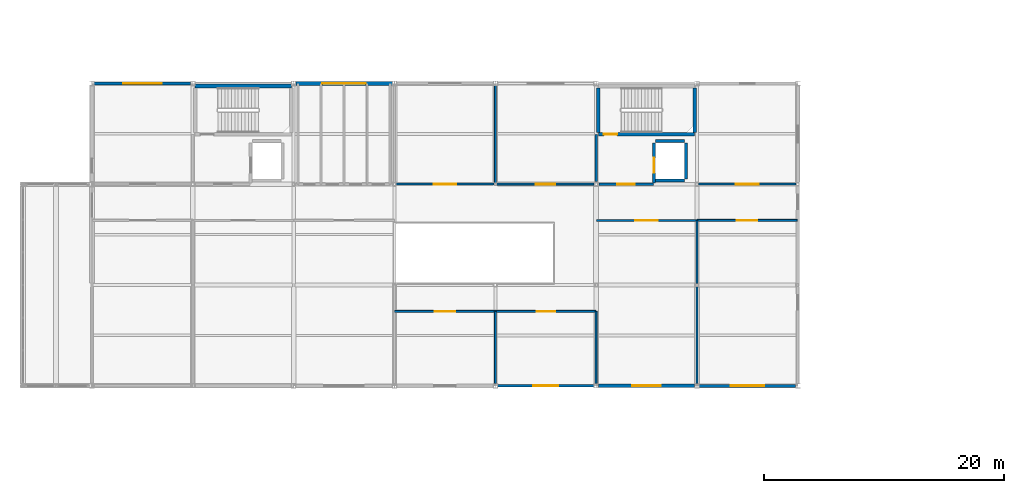
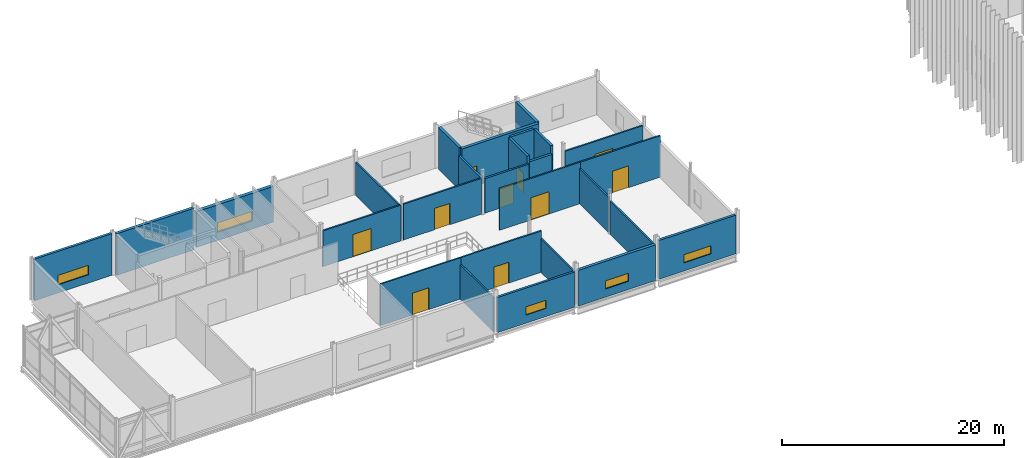
# One storey, part 31 of 45: 27 walls, 10 doors, 5 windows, 15 openings.
"""IFC4 building model written with IfcOpenShell, lengths in metres."""

from ifc_helpers import new_model, si_unit, direction, frame, frame_2d, origin, place, context, subcontext, project, spatial, rectangle, extrude, material, layer, layer_set, type_object, element, fill, save


model = new_model("IFC4")

# Units and contexts
model_context = context("Model", 3, precision=1e-05, world=origin(), true_north=direction((0.0, 1.0)))
body_context = subcontext(model_context, "Body", "Model", "MODEL_VIEW")
ifc_project = project(units=[si_unit("LENGTHUNIT", "METRE"), si_unit("AREAUNIT", "SQUARE_METRE"), si_unit("VOLUMEUNIT", "CUBIC_METRE"), si_unit("PLANEANGLEUNIT", "RADIAN"), si_unit("MASSUNIT", "GRAM", prefix="KILO")], contexts=[model_context])

# Site, building, storey
site_placement = place(None, origin())
site = spatial("IfcSite", under=ifc_project, at=site_placement, CompositionType="ELEMENT")
building_placement = place(site_placement, origin())
building = spatial("IfcBuilding", under=site, at=building_placement, Name="Calvrana Isthmian Art Gallery", CompositionType="ELEMENT")
storey_placement = place(building_placement, frame((0.0, 0.0, 19.800048828125)))
storey = spatial("IfcBuildingStorey", under=building, at=storey_placement, Name="L04", CompositionType="ELEMENT", Elevation=19.800048828125)

# Wall
ifc_material_1 = material(Name="Concrete C40/50", Category="concrete")
ifc_layer_1 = layer(ifc_material_1, 0.300048828125, Name="Concrete C40/50")
ifc_layer_set_1 = layer_set([ifc_layer_1], Name="Concrete C40/50")
wall_type_1 = type_object("IfcWallType", Name="CW-SHAFT-300", PredefinedType="SHEAR", material=ifc_layer_set_1)
wall_1_placement = place(storey_placement, frame((30.18994140625, 46.580078125, 0.0), z_axis=(0.0, 0.0, 1.0), x_axis=(1.0, 0.0, 0.0)))
element("IfcWall", 1, at=wall_1_placement, inside=storey, type_object=wall_type_1, Name="Core C1 shear wall N L04", PredefinedType="SHEAR", context=body_context, shape_type="SweptSolid", body=[
    extrude(rectangle(XDim=8.02001953125, YDim=0.300048828125, at=frame_2d((4.010009765625, 0.0))), origin(), (0.0, 0.0, 1.0), 4.579833984375),
])

# Wall, opening, door
wall_2_placement = place(storey_placement, frame((63.7900390625, 42.56005859375, 0.0), z_axis=(0.0, 0.0, 1.0), x_axis=(1.0, 0.0, 0.0)))
wall_2 = element("IfcWall", 2, at=wall_2_placement, inside=storey, type_object=wall_type_1, Name="Core C2 shear wall S L04", PredefinedType="SHEAR", context=body_context, shape_type="SweptSolid", body=[
    extrude(rectangle(XDim=8.02001953125, YDim=0.300048828125, at=frame_2d((4.010009765625, 0.0))), origin(), (0.0, 0.0, 1.0), 4.579833984375),
])
opening_1_placement = place(wall_2_placement, frame((0.449951171875, 0.0, 0.0)))
opening_1 = element("IfcOpeningElement", 3, at=opening_1_placement, cuts=wall_2, Name="Opening D-124", PredefinedType="OPENING", context=body_context, shape_type="SweptSolid", body=[
    extrude(rectangle(XDim=1.10009765625, YDim=2.14990234375, at=frame_2d((0.550048828125, 1.074951171875))), frame((0.0, 0.16015625, 0.0), z_axis=(0.0, -1.0, 0.0), x_axis=(1.0, 0.0, 0.0)), (0.0, 0.0, 1.0), 0.320556640625),
])
ifc_material_2 = material(Name="Steel ASTM A572 Gr 50", Category="steel")
door_type_1 = type_object("IfcDoorType", Name="DR-FIRE-1100", OperationType="NOTDEFINED", PredefinedType="DOOR", material=ifc_material_2)
door_1_placement = place(opening_1_placement, origin())
door_1 = element("IfcDoor", 4, at=door_1_placement, inside=storey, type_object=door_type_1, Name="Stair ST-2 fire door L04", OperationType="SINGLE_SWING_LEFT", OverallHeight=2.14990234375, OverallWidth=1.10009765625, PredefinedType="DOOR", context=body_context, shape_type="SweptSolid", body=[
    extrude(rectangle(XDim=1.10009765625, YDim=2.14990234375, at=frame_2d((0.550048828125, 1.074951171875))), frame((0.0, 0.02490234375, 0.0), z_axis=(0.0, -1.0, 0.0), x_axis=(1.0, 0.0, 0.0)), (0.0, 0.0, 1.0), 0.050048828125),
])
fill(opening_1, door_1)

# Walls
for number, where, z_axis, x_axis, name in (
    (5, (63.7900390625, 42.7099609375, 0.0), (0.0, 0.0, 1.0), (0.0, 1.0, 0.0), "Core C2 shear wall W L04"),
    (6, (71.81005859375, 42.7099609375, 0.0), (0.0, 0.0, 1.0), (0.0, 1.0, 0.0), "Core C2 shear wall E L04"),
):
    element("IfcWall", number, at=place(storey_placement, frame(where, z_axis=z_axis, x_axis=x_axis)), inside=storey, type_object=wall_type_1, Name=name, PredefinedType="SHEAR", context=body_context, shape_type="SweptSolid", body=[
        extrude(rectangle(XDim=3.719970703125, YDim=0.300048828125, at=frame_2d((1.85986328125, 0.0))), origin(), (0.0, 0.0, 1.0), 4.579833984375),
    ])

# Wall, opening, window
ifc_material_3 = material(Name="Precast concrete C40/50", Category="concrete")
ifc_layer_2 = layer(ifc_material_3, 0.219970703125, Name="Precast concrete C40/50")
ifc_layer_set_2 = layer_set([ifc_layer_2], Name="Precast concrete C40/50")
wall_type_2 = type_object("IfcWallType", Name="EW-ACOUST-220", PredefinedType="SOLIDWALL", material=ifc_layer_set_2)
wall_3_placement = place(storey_placement, frame((63.416015625, 21.60009765625, 0.0), z_axis=(0.0, 0.0, 1.0), x_axis=(-1.0, 0.0, 0.0)))
wall_3 = element("IfcWall", 7, at=wall_3_placement, inside=storey, type_object=wall_type_2, Name="Exterior wall EW-183", PredefinedType="SOLIDWALL", context=body_context, shape_type="SweptSolid", body=[
    extrude(rectangle(XDim=8.030517578125, YDim=0.219970703125, at=frame_2d((4.01513671875, 0.0))), origin(), (0.0, 0.0, 1.0), 3.866943359375),
])
opening_2_placement = place(wall_3_placement, frame((2.96533203125, 0.0, 0.89990234375)))
opening_2 = element("IfcOpeningElement", 8, at=opening_2_placement, cuts=wall_3, Name="Opening W-134", PredefinedType="OPENING", context=body_context, shape_type="SweptSolid", body=[
    extrude(rectangle(XDim=2.10009765625, YDim=0.89990234375, at=frame_2d((1.050048828125, 0.449951171875))), frame((0.0, 0.1201171875, 0.0), z_axis=(0.0, -1.0, 0.0), x_axis=(1.0, 0.0, 0.0)), (0.0, 0.0, 1.0), 0.240478515625),
])
ifc_material_4 = material(Name="Low-E laminated solar glass", Category="glass")
window_type_1 = type_object("IfcWindowType", Name="WN-C02", PartitioningType="DOUBLE_PANEL_VERTICAL", PredefinedType="WINDOW", material=ifc_material_4)
window_1_placement = place(opening_2_placement, origin())
window_1 = element("IfcWindow", 9, at=window_1_placement, inside=storey, type_object=window_type_1, Name="Facade window W-134", OverallHeight=0.89990234375, OverallWidth=2.10009765625, PartitioningType="SINGLE_PANEL", PredefinedType="WINDOW", context=body_context, shape_type="SweptSolid", body=[
    extrude(rectangle(XDim=2.10009765625, YDim=0.89990234375, at=frame_2d((1.050048828125, 0.449951171875))), frame((0.0, 0.030029296875, 0.0), z_axis=(0.0, -1.0, 0.0), x_axis=(1.0, 0.0, 0.0)), (0.0, 0.0, 1.0), 0.06005859375),
])
fill(opening_2, window_1)

ifc_material_5 = material(Name="Pale Isthmian limestone", Category="masonry")
ifc_layer_3 = layer(ifc_material_5, 0.300048828125, Name="Pale Isthmian limestone")
ifc_layer_set_3 = layer_set([ifc_layer_3], Name="Pale Isthmian limestone")
wall_type_3 = type_object("IfcWallType", Name="EW-LIME-300", PredefinedType="SOLIDWALL", material=ifc_layer_set_3)
wall_4_placement = place(storey_placement, frame((71.8134765625, 21.60009765625, 0.0), z_axis=(0.0, 0.0, 1.0), x_axis=(-1.0, 0.0, 0.0)))
wall_4 = element("IfcWall", 10, at=wall_4_placement, inside=storey, type_object=wall_type_3, Name="Exterior wall EW-184", PredefinedType="SOLIDWALL", context=body_context, shape_type="SweptSolid", body=[
    extrude(rectangle(XDim=8.029541015625, YDim=0.300048828125, at=frame_2d((4.0146484375, 0.0))), origin(), (0.0, 0.0, 1.0), 3.93798828125),
])
opening_3_placement = place(wall_4_placement, frame((2.814697265625, 0.0, 0.89990234375)))
opening_3 = element("IfcOpeningElement", 11, at=opening_3_placement, cuts=wall_4, Name="Opening W-135", PredefinedType="OPENING", context=body_context, shape_type="SweptSolid", body=[
    extrude(rectangle(XDim=2.39990234375, YDim=0.89990234375, at=frame_2d((1.199951171875, 0.449951171875))), frame((0.0, 0.16015625, 0.0), z_axis=(0.0, -1.0, 0.0), x_axis=(1.0, 0.0, 0.0)), (0.0, 0.0, 1.0), 0.320556640625),
])
window_type_2 = type_object("IfcWindowType", Name="WN-C03", PartitioningType="DOUBLE_PANEL_VERTICAL", PredefinedType="WINDOW", material=ifc_material_4)
window_2_placement = place(opening_3_placement, origin())
window_2 = element("IfcWindow", 12, at=window_2_placement, inside=storey, type_object=window_type_2, Name="Facade window W-135", OverallHeight=0.89990234375, OverallWidth=2.39990234375, PartitioningType="SINGLE_PANEL", PredefinedType="WINDOW", context=body_context, shape_type="SweptSolid", body=[
    extrude(rectangle(XDim=2.39990234375, YDim=0.89990234375, at=frame_2d((1.199951171875, 0.449951171875))), frame((0.0, 0.030029296875, 0.0), z_axis=(0.0, -1.0, 0.0), x_axis=(1.0, 0.0, 0.0)), (0.0, 0.0, 1.0), 0.06005859375),
])
fill(opening_3, window_2)

ifc_layer_4 = layer(ifc_material_3, 0.35009765625, Name="Precast concrete C40/50")
ifc_layer_set_4 = layer_set([ifc_layer_4], Name="Precast concrete C40/50")
wall_type_4 = type_object("IfcWallType", Name="EW-PREC-350", PredefinedType="SOLIDWALL", material=ifc_layer_set_4)
wall_5_placement = place(storey_placement, frame((38.58642578125, 46.800048828125, 0.0), z_axis=(0.0, 0.0, 1.0), x_axis=(1.0, 0.0, 0.0)))
wall_5 = element("IfcWall", 13, at=wall_5_placement, inside=storey, type_object=wall_type_4, Name="Exterior wall EW-190", PredefinedType="SOLIDWALL", context=body_context, shape_type="SweptSolid", body=[
    extrude(rectangle(XDim=8.028076171875, YDim=0.35009765625, at=frame_2d((4.01416015625, 0.0))), origin(), (0.0, 0.0, 1.0), 3.93798828125),
])
opening_4_placement = place(wall_5_placement, frame((2.214111328125, 0.0, 0.89990234375)))
opening_4 = element("IfcOpeningElement", 14, at=opening_4_placement, cuts=wall_5, Name="Opening W-138", PredefinedType="OPENING", context=body_context, shape_type="SweptSolid", body=[
    extrude(rectangle(XDim=3.60009765625, YDim=1.050048828125, at=frame_2d((1.800048828125, 0.52490234375))), frame((0.0, 0.185302734375, 0.0), z_axis=(0.0, -1.0, 0.0), x_axis=(1.0, 0.0, 0.0)), (0.0, 0.0, 1.0), 0.37060546875),
])
window_type_3 = type_object("IfcWindowType", Name="WN-C06", PartitioningType="DOUBLE_PANEL_VERTICAL", PredefinedType="WINDOW", material=ifc_material_4)
window_3_placement = place(opening_4_placement, origin())
window_3 = element("IfcWindow", 15, at=window_3_placement, inside=storey, type_object=window_type_3, Name="Facade window W-138", OverallHeight=1.050048828125, OverallWidth=3.60009765625, PartitioningType="SINGLE_PANEL", PredefinedType="WINDOW", context=body_context, shape_type="SweptSolid", body=[
    extrude(rectangle(XDim=3.60009765625, YDim=1.050048828125, at=frame_2d((1.800048828125, 0.52490234375))), frame((0.0, 0.030029296875, 0.0), z_axis=(0.0, -1.0, 0.0), x_axis=(1.0, 0.0, 0.0)), (0.0, 0.0, 1.0), 0.06005859375),
])
fill(opening_4, window_3)

ifc_material_6 = material(Name="Polychrome glazed terracotta", Category="masonry")
ifc_layer_5 = layer(ifc_material_6, 0.25, Name="Polychrome glazed terracotta")
ifc_layer_set_5 = layer_set([ifc_layer_5], Name="Polychrome glazed terracotta")
wall_type_5 = type_object("IfcWallType", Name="EW-TERRA-250", PredefinedType="SOLIDWALL", material=ifc_layer_set_5)
wall_6_placement = place(storey_placement, frame((80.21337890625, 21.60009765625, 0.0), z_axis=(0.0, 0.0, 1.0), x_axis=(-1.0, 0.0, 0.0)))
wall_6 = element("IfcWall", 16, at=wall_6_placement, inside=storey, type_object=wall_type_5, Name="Exterior wall EW-185", PredefinedType="SOLIDWALL", context=body_context, shape_type="SweptSolid", body=[
    extrude(rectangle(XDim=8.02685546875, YDim=0.25, at=frame_2d((4.013427734375, 0.0))), origin(), (0.0, 0.0, 1.0), 4.255126953125),
])
opening_5_placement = place(wall_6_placement, frame((2.613525390625, 0.0, 0.89990234375)))
opening_5 = element("IfcOpeningElement", 17, at=opening_5_placement, cuts=wall_6, Name="Opening W-136", PredefinedType="OPENING", context=body_context, shape_type="SweptSolid", body=[
    extrude(rectangle(XDim=2.800048828125, YDim=0.89990234375, at=frame_2d((1.39990234375, 0.449951171875))), frame((0.0, 0.13525390625, 0.0), z_axis=(0.0, -1.0, 0.0), x_axis=(1.0, 0.0, 0.0)), (0.0, 0.0, 1.0), 0.2705078125),
])
window_type_4 = type_object("IfcWindowType", Name="WN-C04", PartitioningType="DOUBLE_PANEL_VERTICAL", PredefinedType="WINDOW", material=ifc_material_4)
window_4_placement = place(opening_5_placement, origin())
window_4 = element("IfcWindow", 18, at=window_4_placement, inside=storey, type_object=window_type_4, Name="Facade window W-136", OverallHeight=0.89990234375, OverallWidth=2.800048828125, PartitioningType="SINGLE_PANEL", PredefinedType="WINDOW", context=body_context, shape_type="SweptSolid", body=[
    extrude(rectangle(XDim=2.800048828125, YDim=0.89990234375, at=frame_2d((1.39990234375, 0.449951171875))), frame((0.0, 0.030029296875, 0.0), z_axis=(0.0, -1.0, 0.0), x_axis=(1.0, 0.0, 0.0)), (0.0, 0.0, 1.0), 0.06005859375),
])
fill(opening_5, window_4)

wall_7_placement = place(storey_placement, frame((21.783935546875, 46.800048828125, 0.0), z_axis=(0.0, 0.0, 1.0), x_axis=(1.0, 0.0, 0.0)))
wall_7 = element("IfcWall", 19, at=wall_7_placement, inside=storey, type_object=wall_type_5, Name="Exterior wall EW-189", PredefinedType="SOLIDWALL", context=body_context, shape_type="SweptSolid", body=[
    extrude(rectangle(XDim=8.029541015625, YDim=0.25, at=frame_2d((4.0146484375, 0.0))), origin(), (0.0, 0.0, 1.0), 4.579833984375),
])
opening_6_placement = place(wall_7_placement, frame((2.414794921875, 0.0, 0.89990234375)))
opening_6 = element("IfcOpeningElement", 20, at=opening_6_placement, cuts=wall_7, Name="Opening W-137", PredefinedType="OPENING", context=body_context, shape_type="SweptSolid", body=[
    extrude(rectangle(XDim=3.199951171875, YDim=1.050048828125, at=frame_2d((1.60009765625, 0.52490234375))), frame((0.0, 0.13525390625, 0.0), z_axis=(0.0, -1.0, 0.0), x_axis=(1.0, 0.0, 0.0)), (0.0, 0.0, 1.0), 0.2705078125),
])
window_type_5 = type_object("IfcWindowType", Name="WN-C05", PartitioningType="DOUBLE_PANEL_VERTICAL", PredefinedType="WINDOW", material=ifc_material_4)
window_5_placement = place(opening_6_placement, origin())
window_5 = element("IfcWindow", 21, at=window_5_placement, inside=storey, type_object=window_type_5, Name="Facade window W-137", OverallHeight=1.050048828125, OverallWidth=3.199951171875, PartitioningType="SINGLE_PANEL", PredefinedType="WINDOW", context=body_context, shape_type="SweptSolid", body=[
    extrude(rectangle(XDim=3.199951171875, YDim=1.050048828125, at=frame_2d((1.60009765625, 0.52490234375))), frame((0.0, 0.030029296875, 0.0), z_axis=(0.0, -1.0, 0.0), x_axis=(1.0, 0.0, 0.0)), (0.0, 0.0, 1.0), 0.06005859375),
])
fill(opening_6, window_5)

# Wall
ifc_material_7 = material(Name="Acoustic gypsum ceiling", Category="gypsum")
ifc_layer_6 = layer(ifc_material_7, 0.199951171875, Name="Acoustic gypsum ceiling")
ifc_layer_set_6 = layer_set([ifc_layer_6], Name="Acoustic gypsum ceiling")
wall_type_6 = type_object("IfcWallType", Name="PW-FIRE-200", PredefinedType="PARTITIONING", material=ifc_layer_set_6)
wall_8_placement = place(storey_placement, frame((63.60009765625, 38.6201171875, 0.0), z_axis=(0.0, 0.0, 1.0), x_axis=(0.0, 1.0, 0.0)))
element("IfcWall", 22, at=wall_8_placement, inside=storey, type_object=wall_type_6, Name="Core C2 lobby west closure L04", PredefinedType="PARTITIONING", context=body_context, shape_type="SweptSolid", body=[
    extrude(rectangle(XDim=3.919921875, YDim=0.199951171875, at=frame_2d((1.9599609375, 0.0))), origin(), (0.0, 0.0, 1.0), 3.866943359375),
])

# Wall, opening, door
wall_9_placement = place(storey_placement, frame((63.820068359375, 38.39990234375, 0.0), z_axis=(0.0, 0.0, 1.0), x_axis=(1.0, 0.0, 0.0)))
wall_9 = element("IfcWall", 23, at=wall_9_placement, inside=storey, type_object=wall_type_6, Name="Core C2 lobby enclosure L04", PredefinedType="PARTITIONING", context=body_context, shape_type="SweptSolid", body=[
    extrude(rectangle(XDim=4.559814453125, YDim=0.199951171875, at=frame_2d((2.27978515625, 0.0))), origin(), (0.0, 0.0, 1.0), 3.7978515625),
])
opening_7_placement = place(wall_9_placement, frame((1.554931640625, 0.0, 0.0)))
opening_7 = element("IfcOpeningElement", 24, at=opening_7_placement, cuts=wall_9, Name="Opening D-125", PredefinedType="OPENING", context=body_context, shape_type="SweptSolid", body=[
    extrude(rectangle(XDim=1.449951171875, YDim=2.199951171875, at=frame_2d((0.72509765625, 1.10009765625))), frame((0.0, 0.1103515625, 0.0), z_axis=(0.0, -1.0, 0.0), x_axis=(1.0, 0.0, 0.0)), (0.0, 0.0, 1.0), 0.220458984375),
])
door_type_2 = type_object("IfcDoorType", Name="DR-LOBBY-1450", OperationType="DOUBLE_DOOR_SINGLE_SWING", PredefinedType="DOOR", material=ifc_material_2)
door_2_placement = place(opening_7_placement, origin())
door_2 = element("IfcDoor", 25, at=door_2_placement, inside=storey, type_object=door_type_2, Name="Core C2 lobby fire door L04", OperationType="DOUBLE_DOOR_SINGLE_SWING", OverallHeight=2.199951171875, OverallWidth=1.449951171875, PredefinedType="DOOR", context=body_context, shape_type="SweptSolid", body=[
    extrude(rectangle(XDim=1.449951171875, YDim=2.199951171875, at=frame_2d((0.72509765625, 1.10009765625))), frame((0.0, 0.02490234375, 0.0), z_axis=(0.0, -1.0, 0.0), x_axis=(1.0, 0.0, 0.0)), (0.0, 0.0, 1.0), 0.050048828125),
])
fill(opening_7, door_2)

ifc_layer_7 = layer(ifc_material_7, 0.159912109375, Name="Acoustic gypsum ceiling")
ifc_layer_set_7 = layer_set([ifc_layer_7], Name="Acoustic gypsum ceiling")
wall_type_7 = type_object("IfcWallType", Name="PW-GAL-160", PredefinedType="PARTITIONING", material=ifc_layer_set_7)
wall_10_placement = place(storey_placement, frame((46.820068359375, 27.800048828125, 0.0), z_axis=(0.0, 0.0, 1.0), x_axis=(1.0, 0.0, 0.0)))
wall_10 = element("IfcWall", 26, at=wall_10_placement, inside=storey, type_object=wall_type_7, Name="Interior partition PW-573", PredefinedType="PARTITIONING", context=body_context, shape_type="SweptSolid", body=[
    extrude(rectangle(XDim=8.35986328125, YDim=0.159912109375, at=frame_2d((4.179931640625, 0.0))), origin(), (0.0, 0.0, 1.0), 4.56005859375),
])
opening_8_placement = place(wall_10_placement, frame((3.35009765625, 0.0, 0.0)))
opening_8 = element("IfcOpeningElement", 27, at=opening_8_placement, cuts=wall_10, Name="Opening D-497", PredefinedType="OPENING", context=body_context, shape_type="SweptSolid", body=[
    extrude(rectangle(XDim=1.699951171875, YDim=2.39990234375, at=frame_2d((0.85009765625, 1.199951171875))), frame((0.0, 0.09033203125, 0.0), z_axis=(0.0, -1.0, 0.0), x_axis=(1.0, 0.0, 0.0)), (0.0, 0.0, 1.0), 0.180419921875),
])
ifc_material_8 = material(Name="Timber gallery flooring", Category="wood")
door_type_3 = type_object("IfcDoorType", Name="DR-GAL-1700", OperationType="DOUBLE_DOOR_SINGLE_SWING", PredefinedType="DOOR", material=ifc_material_8)
door_3_placement = place(opening_8_placement, origin())
door_3 = element("IfcDoor", 28, at=door_3_placement, inside=storey, type_object=door_type_3, Name="Interior door D-497", OperationType="DOUBLE_DOOR_SINGLE_SWING", OverallHeight=2.39990234375, OverallWidth=1.699951171875, PredefinedType="DOOR", context=body_context, shape_type="SweptSolid", body=[
    extrude(rectangle(XDim=1.699951171875, YDim=2.39990234375, at=frame_2d((0.85009765625, 1.199951171875))), frame((0.0, 0.02490234375, 0.0), z_axis=(0.0, -1.0, 0.0), x_axis=(1.0, 0.0, 0.0)), (0.0, 0.0, 1.0), 0.050048828125),
])
fill(opening_8, door_3)

# Wall
wall_11_placement = place(storey_placement, frame((55.199951171875, 21.79638671875, 0.0), z_axis=(0.0, 0.0, 1.0), x_axis=(0.0, 1.0, 0.0)))
element("IfcWall", 29, at=wall_11_placement, inside=storey, type_object=wall_type_7, Name="Interior partition PW-574", PredefinedType="PARTITIONING", context=body_context, shape_type="SweptSolid", body=[
    extrude(rectangle(XDim=6.003662109375, YDim=0.159912109375, at=frame_2d((3.001953125, 0.0))), origin(), (0.0, 0.0, 1.0), 3.787841796875),
])

# Wall, opening, door
wall_12_placement = place(storey_placement, frame((55.219970703125, 27.800048828125, 0.0), z_axis=(0.0, 0.0, 1.0), x_axis=(1.0, 0.0, 0.0)))
wall_12 = element("IfcWall", 30, at=wall_12_placement, inside=storey, type_object=wall_type_7, Name="Interior partition PW-575", PredefinedType="PARTITIONING", context=body_context, shape_type="SweptSolid", body=[
    extrude(rectangle(XDim=8.360107421875, YDim=0.159912109375, at=frame_2d((4.18017578125, 0.0))), origin(), (0.0, 0.0, 1.0), 4.56005859375),
])
opening_9_placement = place(wall_12_placement, frame((3.425048828125, 0.0, 0.0)))
opening_9 = element("IfcOpeningElement", 31, at=opening_9_placement, cuts=wall_12, Name="Opening D-498", PredefinedType="OPENING", context=body_context, shape_type="SweptSolid", body=[
    extrude(rectangle(XDim=1.550048828125, YDim=2.300048828125, at=frame_2d((0.77490234375, 1.14990234375))), frame((0.0, 0.09033203125, 0.0), z_axis=(0.0, -1.0, 0.0), x_axis=(1.0, 0.0, 0.0)), (0.0, 0.0, 1.0), 0.180419921875),
])
door_type_4 = type_object("IfcDoorType", Name="DR-AUD-1550", OperationType="DOUBLE_DOOR_SINGLE_SWING", PredefinedType="DOOR", material=ifc_material_8)
door_4_placement = place(opening_9_placement, origin())
door_4 = element("IfcDoor", 32, at=door_4_placement, inside=storey, type_object=door_type_4, Name="Interior door D-498", OperationType="DOUBLE_DOOR_SINGLE_SWING", OverallHeight=2.300048828125, OverallWidth=1.550048828125, PredefinedType="DOOR", context=body_context, shape_type="SweptSolid", body=[
    extrude(rectangle(XDim=1.550048828125, YDim=2.300048828125, at=frame_2d((0.77490234375, 1.14990234375))), frame((0.0, 0.02490234375, 0.0), z_axis=(0.0, -1.0, 0.0), x_axis=(1.0, 0.0, 0.0)), (0.0, 0.0, 1.0), 0.050048828125),
])
fill(opening_9, door_4)

# Wall
wall_13_placement = place(storey_placement, frame((63.60009765625, 21.79296875, 0.0), z_axis=(0.0, 0.0, 1.0), x_axis=(0.0, 1.0, 0.0)))
element("IfcWall", 33, at=wall_13_placement, inside=storey, type_object=wall_type_7, Name="Interior partition PW-576", PredefinedType="PARTITIONING", context=body_context, shape_type="SweptSolid", body=[
    extrude(rectangle(XDim=6.007080078125, YDim=0.159912109375, at=frame_2d((3.00341796875, 0.0))), origin(), (0.0, 0.0, 1.0), 3.703857421875),
])

# Wall, opening, door
wall_14_placement = place(storey_placement, frame((63.610107421875, 35.389892578125, 0.0), z_axis=(0.0, 0.0, 1.0), x_axis=(1.0, 0.0, 0.0)))
wall_14 = element("IfcWall", 34, at=wall_14_placement, inside=storey, type_object=wall_type_7, Name="Interior partition PW-577", PredefinedType="PARTITIONING", context=body_context, shape_type="SweptSolid", body=[
    extrude(rectangle(XDim=8.3798828125, YDim=0.159912109375, at=frame_2d((4.18994140625, 0.0))), origin(), (0.0, 0.0, 1.0), 4.56005859375),
])
opening_10_placement = place(wall_14_placement, frame((3.239990234375, 0.0, 0.0)))
opening_10 = element("IfcOpeningElement", 35, at=opening_10_placement, cuts=wall_14, Name="Opening D-499", PredefinedType="OPENING", context=body_context, shape_type="SweptSolid", body=[
    extrude(rectangle(XDim=1.89990234375, YDim=2.449951171875, at=frame_2d((0.949951171875, 1.22509765625))), frame((0.0, 0.09033203125, 0.0), z_axis=(0.0, -1.0, 0.0), x_axis=(1.0, 0.0, 0.0)), (0.0, 0.0, 1.0), 0.180419921875),
])
door_type_5 = type_object("IfcDoorType", Name="DR-GAL-1900", OperationType="DOUBLE_DOOR_SINGLE_SWING", PredefinedType="DOOR", material=ifc_material_8)
door_5_placement = place(opening_10_placement, origin())
door_5 = element("IfcDoor", 36, at=door_5_placement, inside=storey, type_object=door_type_5, Name="Interior door D-499", OperationType="DOUBLE_DOOR_SINGLE_SWING", OverallHeight=2.449951171875, OverallWidth=1.89990234375, PredefinedType="DOOR", context=body_context, shape_type="SweptSolid", body=[
    extrude(rectangle(XDim=1.89990234375, YDim=2.449951171875, at=frame_2d((0.949951171875, 1.22509765625))), frame((0.0, 0.02490234375, 0.0), z_axis=(0.0, -1.0, 0.0), x_axis=(1.0, 0.0, 0.0)), (0.0, 0.0, 1.0), 0.050048828125),
])
fill(opening_10, door_5)

# Walls
wall_15_placement = place(storey_placement, frame((72.0, 21.801513671875, 0.0), z_axis=(0.0, 0.0, 1.0), x_axis=(0.0, 1.0, 0.0)))
element("IfcWall", 37, at=wall_15_placement, inside=storey, type_object=wall_type_7, Name="Interior partition PW-578", PredefinedType="PARTITIONING", context=body_context, shape_type="SweptSolid", body=[
    extrude(rectangle(XDim=8.056396484375, YDim=0.159912109375, at=frame_2d((4.0283203125, 0.0))), origin(), (0.0, 0.0, 1.0), 3.633056640625),
])
wall_16_placement = place(storey_placement, frame((72.0, 30.14208984375, 0.0), z_axis=(0.0, 0.0, 1.0), x_axis=(0.0, 1.0, 0.0)))
element("IfcWall", 38, at=wall_16_placement, inside=storey, type_object=wall_type_7, Name="Interior partition PW-579", PredefinedType="PARTITIONING", context=body_context, shape_type="SweptSolid", body=[
    extrude(rectangle(XDim=5.23779296875, YDim=0.159912109375, at=frame_2d((2.618896484375, 0.0))), origin(), (0.0, 0.0, 1.0), 3.866943359375),
])

# Wall, opening, door
wall_17_placement = place(storey_placement, frame((72.010009765625, 35.389892578125, 0.0), z_axis=(0.0, 0.0, 1.0), x_axis=(1.0, 0.0, 0.0)))
wall_17 = element("IfcWall", 39, at=wall_17_placement, inside=storey, type_object=wall_type_7, Name="Interior partition PW-580", PredefinedType="PARTITIONING", context=body_context, shape_type="SweptSolid", body=[
    extrude(rectangle(XDim=8.330078125, YDim=0.159912109375, at=frame_2d((4.1650390625, 0.0))), origin(), (0.0, 0.0, 1.0), 4.56005859375),
])
opening_11_placement = place(wall_17_placement, frame((3.31494140625, 0.0, 0.0)))
opening_11 = element("IfcOpeningElement", 40, at=opening_11_placement, cuts=wall_17, Name="Opening D-500", PredefinedType="OPENING", context=body_context, shape_type="SweptSolid", body=[
    extrude(rectangle(XDim=1.699951171875, YDim=2.39990234375, at=frame_2d((0.85009765625, 1.199951171875))), frame((0.0, 0.09033203125, 0.0), z_axis=(0.0, -1.0, 0.0), x_axis=(1.0, 0.0, 0.0)), (0.0, 0.0, 1.0), 0.180419921875),
])
door_6_placement = place(opening_11_placement, origin())
door_6 = element("IfcDoor", 41, at=door_6_placement, inside=storey, type_object=door_type_3, Name="Interior door D-500", OperationType="DOUBLE_DOOR_SINGLE_SWING", OverallHeight=2.39990234375, OverallWidth=1.699951171875, PredefinedType="DOOR", context=body_context, shape_type="SweptSolid", body=[
    extrude(rectangle(XDim=1.699951171875, YDim=2.39990234375, at=frame_2d((0.85009765625, 1.199951171875))), frame((0.0, 0.02490234375, 0.0), z_axis=(0.0, -1.0, 0.0), x_axis=(1.0, 0.0, 0.0)), (0.0, 0.0, 1.0), 0.050048828125),
])
fill(opening_11, door_6)

wall_18_placement = place(storey_placement, frame((46.94189453125, 38.39990234375, 0.0), z_axis=(0.0, 0.0, 1.0), x_axis=(1.0, 0.0, 0.0)))
wall_18 = element("IfcWall", 42, at=wall_18_placement, inside=storey, type_object=wall_type_7, Name="Interior partition PW-589", PredefinedType="PARTITIONING", context=body_context, shape_type="SweptSolid", body=[
    extrude(rectangle(XDim=8.1416015625, YDim=0.159912109375, at=frame_2d((4.07080078125, 0.0))), origin(), (0.0, 0.0, 1.0), 3.93798828125),
])
opening_12_placement = place(wall_18_placement, frame((3.12060546875, 0.0, 0.0)))
opening_12 = element("IfcOpeningElement", 43, at=opening_12_placement, cuts=wall_18, Name="Opening D-506", PredefinedType="OPENING", context=body_context, shape_type="SweptSolid", body=[
    extrude(rectangle(XDim=1.89990234375, YDim=2.449951171875, at=frame_2d((0.949951171875, 1.22509765625))), frame((0.0, 0.09033203125, 0.0), z_axis=(0.0, -1.0, 0.0), x_axis=(1.0, 0.0, 0.0)), (0.0, 0.0, 1.0), 0.180419921875),
])
door_7_placement = place(opening_12_placement, origin())
door_7 = element("IfcDoor", 44, at=door_7_placement, inside=storey, type_object=door_type_5, Name="Interior door D-506", OperationType="DOUBLE_DOOR_SINGLE_SWING", OverallHeight=2.449951171875, OverallWidth=1.89990234375, PredefinedType="DOOR", context=body_context, shape_type="SweptSolid", body=[
    extrude(rectangle(XDim=1.89990234375, YDim=2.449951171875, at=frame_2d((0.949951171875, 1.22509765625))), frame((0.0, 0.02490234375, 0.0), z_axis=(0.0, -1.0, 0.0), x_axis=(1.0, 0.0, 0.0)), (0.0, 0.0, 1.0), 0.050048828125),
])
fill(opening_12, door_7)

# Wall
wall_19_placement = place(storey_placement, frame((55.199951171875, 38.5166015625, 0.0), z_axis=(0.0, 0.0, 1.0), x_axis=(0.0, 1.0, 0.0)))
element("IfcWall", 45, at=wall_19_placement, inside=storey, type_object=wall_type_7, Name="Interior partition PW-590", PredefinedType="PARTITIONING", context=body_context, shape_type="SweptSolid", body=[
    extrude(rectangle(XDim=8.09033203125, YDim=0.159912109375, at=frame_2d((4.045166015625, 0.0))), origin(), (0.0, 0.0, 1.0), 3.633056640625),
])

# Wall, opening, door
wall_20_placement = place(storey_placement, frame((55.316650390625, 38.39990234375, 0.0), z_axis=(0.0, 0.0, 1.0), x_axis=(1.0, 0.0, 0.0)))
wall_20 = element("IfcWall", 46, at=wall_20_placement, inside=storey, type_object=wall_type_7, Name="Interior partition PW-591", PredefinedType="PARTITIONING", context=body_context, shape_type="SweptSolid", body=[
    extrude(rectangle(XDim=8.115966796875, YDim=0.159912109375, at=frame_2d((4.05810546875, 0.0))), origin(), (0.0, 0.0, 1.0), 3.947998046875),
])
opening_13_placement = place(wall_20_placement, frame((3.258056640625, 0.0, 0.0)))
opening_13 = element("IfcOpeningElement", 47, at=opening_13_placement, cuts=wall_20, Name="Opening D-507", PredefinedType="OPENING", context=body_context, shape_type="SweptSolid", body=[
    extrude(rectangle(XDim=1.60009765625, YDim=2.35009765625, at=frame_2d((0.800048828125, 1.175048828125))), frame((0.0, 0.09033203125, 0.0), z_axis=(0.0, -1.0, 0.0), x_axis=(1.0, 0.0, 0.0)), (0.0, 0.0, 1.0), 0.180419921875),
])
door_type_6 = type_object("IfcDoorType", Name="DR-GAL-1600", OperationType="DOUBLE_DOOR_SINGLE_SWING", PredefinedType="DOOR", material=ifc_material_8)
door_8_placement = place(opening_13_placement, origin())
door_8 = element("IfcDoor", 48, at=door_8_placement, inside=storey, type_object=door_type_6, Name="Interior door D-507", OperationType="DOUBLE_DOOR_SINGLE_SWING", OverallHeight=2.35009765625, OverallWidth=1.60009765625, PredefinedType="DOOR", context=body_context, shape_type="SweptSolid", body=[
    extrude(rectangle(XDim=1.60009765625, YDim=2.35009765625, at=frame_2d((0.800048828125, 1.175048828125))), frame((0.0, 0.02490234375, 0.0), z_axis=(0.0, -1.0, 0.0), x_axis=(1.0, 0.0, 0.0)), (0.0, 0.0, 1.0), 0.050048828125),
])
fill(opening_13, door_8)

wall_21_placement = place(storey_placement, frame((72.11669921875, 38.39990234375, 0.0), z_axis=(0.0, 0.0, 1.0), x_axis=(1.0, 0.0, 0.0)))
wall_21 = element("IfcWall", 49, at=wall_21_placement, inside=storey, type_object=wall_type_7, Name="Interior partition PW-592", PredefinedType="PARTITIONING", context=body_context, shape_type="SweptSolid", body=[
    extrude(rectangle(XDim=8.141357421875, YDim=0.159912109375, at=frame_2d((4.07080078125, 0.0))), origin(), (0.0, 0.0, 1.0), 3.866943359375),
])
opening_14_placement = place(wall_21_placement, frame((3.12060546875, 0.0, 0.0)))
opening_14 = element("IfcOpeningElement", 50, at=opening_14_placement, cuts=wall_21, Name="Opening D-508", PredefinedType="OPENING", context=body_context, shape_type="SweptSolid", body=[
    extrude(rectangle(XDim=1.89990234375, YDim=2.449951171875, at=frame_2d((0.949951171875, 1.22509765625))), frame((0.0, 0.09033203125, 0.0), z_axis=(0.0, -1.0, 0.0), x_axis=(1.0, 0.0, 0.0)), (0.0, 0.0, 1.0), 0.180419921875),
])
door_9_placement = place(opening_14_placement, origin())
door_9 = element("IfcDoor", 51, at=door_9_placement, inside=storey, type_object=door_type_5, Name="Interior door D-508", OperationType="DOUBLE_DOOR_SINGLE_SWING", OverallHeight=2.449951171875, OverallWidth=1.89990234375, PredefinedType="DOOR", context=body_context, shape_type="SweptSolid", body=[
    extrude(rectangle(XDim=1.89990234375, YDim=2.449951171875, at=frame_2d((0.949951171875, 1.22509765625))), frame((0.0, 0.02490234375, 0.0), z_axis=(0.0, -1.0, 0.0), x_axis=(1.0, 0.0, 0.0)), (0.0, 0.0, 1.0), 0.050048828125),
])
fill(opening_14, door_9)

# Walls
ifc_material_9 = material(Name="Concrete C35/45", Category="concrete")
ifc_layer_8 = layer(ifc_material_9, 0.25, Name="Concrete C35/45")
ifc_layer_set_8 = layer_set([ifc_layer_8], Name="Concrete C35/45")
wall_type_8 = type_object("IfcWallType", Name="PW-SHAFT-250", PredefinedType="PARTITIONING", material=ifc_layer_set_8)
wall_22_placement = place(storey_placement, frame((71.080078125, 38.85009765625, 0.0), z_axis=(0.0, 0.0, 1.0), x_axis=(0.0, 1.0, 0.0)))
element("IfcWall", 52, at=wall_22_placement, inside=storey, type_object=wall_type_8, Name="Lift EL-02 shaft wall E L04", PredefinedType="PARTITIONING", context=body_context, shape_type="SweptSolid", body=[
    extrude(rectangle(XDim=3.0, YDim=0.25, at=frame_2d((1.5, 0.0))), origin(), (0.0, 0.0, 1.0), 4.579833984375),
])
wall_23_placement = place(storey_placement, frame((68.550048828125, 38.719970703125, 0.0), z_axis=(0.0, 0.0, 1.0), x_axis=(1.0, 0.0, 0.0)))
element("IfcWall", 53, at=wall_23_placement, inside=storey, type_object=wall_type_8, Name="Lift EL-02 shaft wall S L04", PredefinedType="PARTITIONING", context=body_context, shape_type="SweptSolid", body=[
    extrude(rectangle(XDim=2.39990234375, YDim=0.25, at=frame_2d((1.199951171875, 0.0))), origin(), (0.0, 0.0, 1.0), 3.7978515625),
])
wall_24_placement = place(storey_placement, frame((68.550048828125, 41.97998046875, 0.0), z_axis=(0.0, 0.0, 1.0), x_axis=(1.0, 0.0, 0.0)))
element("IfcWall", 54, at=wall_24_placement, inside=storey, type_object=wall_type_8, Name="Lift EL-02 shaft wall N L04", PredefinedType="PARTITIONING", context=body_context, shape_type="SweptSolid", body=[
    extrude(rectangle(XDim=2.39990234375, YDim=0.25, at=frame_2d((1.199951171875, 0.0))), origin(), (0.0, 0.0, 1.0), 4.579833984375),
])

# Wall, opening, door
wall_25_placement = place(storey_placement, frame((68.419921875, 38.5, 0.0), z_axis=(0.0, 0.0, 1.0), x_axis=(0.0, 1.0, 0.0)))
wall_25 = element("IfcWall", 55, at=wall_25_placement, inside=storey, type_object=wall_type_8, Name="Lift EL-02 shaft wall W L04", PredefinedType="PARTITIONING", context=body_context, shape_type="SweptSolid", body=[
    extrude(rectangle(XDim=3.35009765625, YDim=0.25, at=frame_2d((1.675048828125, 0.0))), origin(), (0.0, 0.0, 1.0), 4.579833984375),
])
opening_15_placement = place(wall_25_placement, frame((0.85009765625, 0.0, 0.0)))
opening_15 = element("IfcOpeningElement", 56, at=opening_15_placement, cuts=wall_25, Name="Opening LD-02-L04", PredefinedType="OPENING", context=body_context, shape_type="SweptSolid", body=[
    extrude(rectangle(XDim=1.25, YDim=2.14990234375, at=frame_2d((0.625, 1.074951171875))), frame((0.0, 0.13525390625, 0.0), z_axis=(0.0, -1.0, 0.0), x_axis=(1.0, 0.0, 0.0)), (0.0, 0.0, 1.0), 0.2705078125),
])
ifc_material_10 = material(Name="Stainless steel 316", Category="steel")
door_type_7 = type_object("IfcDoorType", Name="DR-LIFT-1250", OperationType="DOUBLE_DOOR_SLIDING", PredefinedType="DOOR", material=ifc_material_10)
door_10_placement = place(opening_15_placement, origin())
door_10 = element("IfcDoor", 57, at=door_10_placement, inside=storey, type_object=door_type_7, Name="Lift EL-02 sliding landing door L04", OperationType="DOUBLE_DOOR_SLIDING", OverallHeight=2.14990234375, OverallWidth=1.25, PredefinedType="DOOR", context=body_context, shape_type="SweptSolid", body=[
    extrude(rectangle(XDim=1.25, YDim=2.14990234375, at=frame_2d((0.625, 1.074951171875))), frame((0.0, 0.02490234375, 0.0), z_axis=(0.0, -1.0, 0.0), x_axis=(1.0, 0.0, 0.0)), (0.0, 0.0, 1.0), 0.050048828125),
])
fill(opening_15, door_10)

save(model, "model.ifc")
